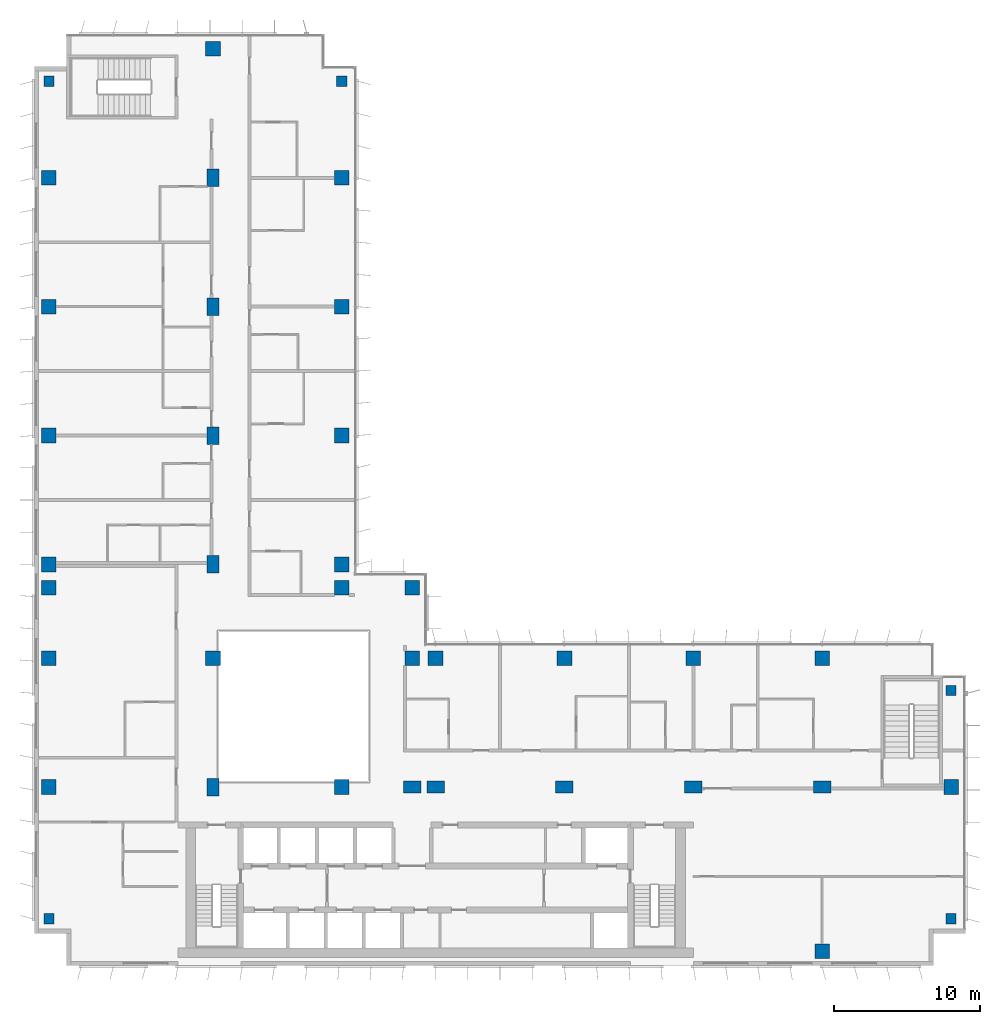
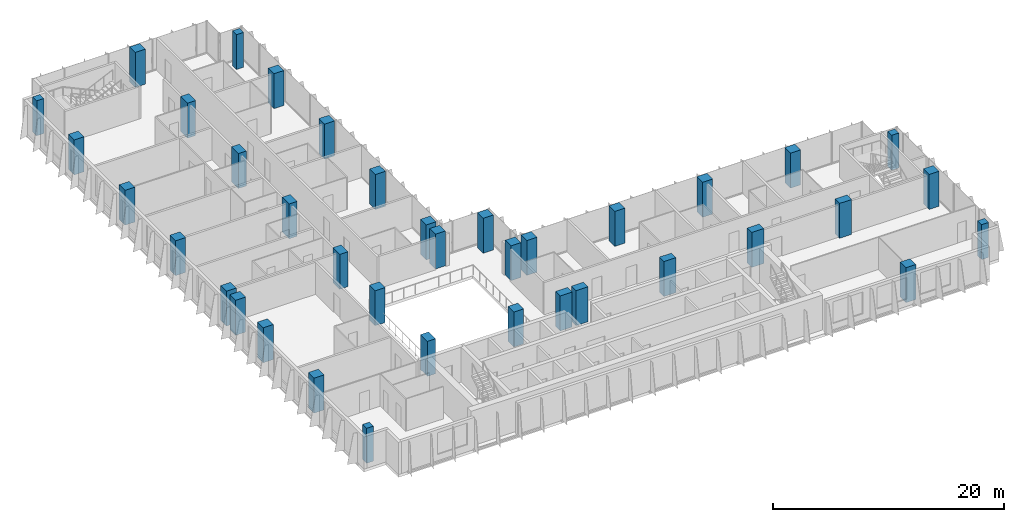
# One storey, part 1 of 21: 38 columns.
"""IFC4 building model written with IfcOpenShell, lengths in metres."""

from ifc_helpers import new_model, si_unit, direction, frame, origin, origin_2d, place, context, subcontext, project, spatial, rectangle, extrude, material, material_profile, profile_set, type_object, element, save


model = new_model("IFC4")

# Units and contexts
model_context = context("Model", 3, precision=1e-05, world=origin(), true_north=direction((0.0, 1.0)))
body_context = subcontext(model_context, "Body", "Model", "MODEL_VIEW")
ifc_project = project(units=[si_unit("LENGTHUNIT", "METRE"), si_unit("AREAUNIT", "SQUARE_METRE"), si_unit("VOLUMEUNIT", "CUBIC_METRE"), si_unit("PLANEANGLEUNIT", "RADIAN"), si_unit("MASSUNIT", "GRAM", prefix="KILO")], contexts=[model_context])

# Site, building, storey
site_placement = place(None, origin())
site = spatial("IfcSite", under=ifc_project, at=site_placement, CompositionType="ELEMENT")
building_placement = place(site_placement, origin())
building = spatial("IfcBuilding", under=site, at=building_placement, Name="Kemantara Hotel Tower", CompositionType="ELEMENT")
storey_placement = place(building_placement, frame((0.0, 0.0, 179.0)))
storey = spatial("IfcBuildingStorey", under=building, at=storey_placement, Name="L44", CompositionType="ELEMENT", Elevation=179.0)

# Columns
ifc_material = material(Name="Concrete fc 60 MPa", Category="concrete")
ifc_material_profile_1 = material_profile(ifc_material, rectangle(XDim=1.0, YDim=1.0, at=origin_2d()), Name="RC 1000X1000")
ifc_profile_set_1 = profile_set([ifc_material_profile_1], Name="Concrete fc 60 MPa")
column_type_1 = type_object("IfcColumnType", Name="RC COLUMN 1000X1000 FC60", PredefinedType="COLUMN", material=ifc_profile_set_1)
for number, where, z_axis, x_axis, name in (
    (1, (1.0, 12.199951171875, 0.0), (0.0, 0.0, 1.0), (1.0, 0.0, 0.0), "COLUMN 1/BA L44"),
    (2, (1.0, 21.0, 0.0), (0.0, 0.0, 1.0), (1.0, 0.0, 0.0), "COLUMN 1/C L44"),
    (3, (1.0, 25.800048828125, 0.0), (0.0, 0.0, 1.0), (1.0, 0.0, 0.0), "COLUMN 1/CA L44"),
    (4, (1.0, 27.39990234375, 0.0), (0.0, 0.0, 1.0), (1.0, 0.0, 0.0), "COLUMN 1/D L44"),
    (5, (1.0, 36.199951171875, 0.0), (0.0, 0.0, 1.0), (1.0, 0.0, 0.0), "COLUMN 1/E L44"),
    (6, (1.0, 45.0, 0.0), (0.0, 0.0, 1.0), (1.0, 0.0, 0.0), "COLUMN 1/F L44"),
    (7, (1.0, 53.800048828125, 0.0), (0.0, 0.0, 1.0), (1.0, 0.0, 0.0), "COLUMN 1/G L44"),
    (8, (12.199951171875, 21.0, 0.0), (0.0, 0.0, 1.0), (1.0, 0.0, 0.0), "COLUMN 2A/C L44"),
    (9, (12.199951171875, 62.60009765625, 0.0), (0.0, 0.0, 1.0), (1.0, 0.0, 0.0), "COLUMN 2A/H L44"),
    (10, (21.0, 12.199951171875, 0.0), (0.0, 0.0, 1.0), (1.0, 0.0, 0.0), "COLUMN 3/BA L44"),
    (11, (21.0, 25.800048828125, 0.0), (0.0, 0.0, 1.0), (1.0, 0.0, 0.0), "COLUMN 3/CA L44"),
    (12, (21.0, 27.39990234375, 0.0), (0.0, 0.0, 1.0), (1.0, 0.0, 0.0), "COLUMN 3/D L44"),
    (13, (21.0, 36.199951171875, 0.0), (0.0, 0.0, 1.0), (1.0, 0.0, 0.0), "COLUMN 3/E L44"),
    (14, (21.0, 45.0, 0.0), (0.0, 0.0, 1.0), (1.0, 0.0, 0.0), "COLUMN 3/F L44"),
    (15, (21.0, 53.800048828125, 0.0), (0.0, 0.0, 1.0), (1.0, 0.0, 0.0), "COLUMN 3/G L44"),
    (16, (25.800048828125, 21.0, 0.0), (0.0, 0.0, 1.0), (1.0, 0.0, 0.0), "COLUMN 3A/C L44"),
    (17, (25.800048828125, 25.800048828125, 0.0), (0.0, 0.0, 1.0), (1.0, 0.0, 0.0), "COLUMN 3A/CA L44"),
    (18, (27.39990234375, 21.0, 0.0), (0.0, 0.0, 1.0), (1.0, 0.0, 0.0), "COLUMN 4/C L44"),
    (19, (36.199951171875, 21.0, 0.0), (0.0, 0.0, 1.0), (1.0, 0.0, 0.0), "COLUMN 5/C L44"),
    (20, (45.0, 21.0, 0.0), (0.0, 0.0, 1.0), (1.0, 0.0, 0.0), "COLUMN 6/C L44"),
    (21, (53.800048828125, 1.0, 0.0), (0.0, 0.0, 1.0), (1.0, 0.0, 0.0), "COLUMN 7/A L44"),
    (22, (53.800048828125, 21.0, 0.0), (0.0, 0.0, 1.0), (1.0, 0.0, 0.0), "COLUMN 7/C L44"),
    (23, (62.60009765625, 12.199951171875, 0.0), (0.0, 0.0, 1.0), (1.0, 0.0, 0.0), "COLUMN 8/BA L44"),
):
    element("IfcColumn", number, at=place(storey_placement, frame(where, z_axis=z_axis, x_axis=x_axis)), inside=storey, type_object=column_type_1, Name=name, PredefinedType="COLUMN", context=body_context, shape_type="SweptSolid", body=[
        extrude(rectangle(XDim=1.0, YDim=1.0, at=origin_2d()), origin(), (0.0, 0.0, 1.0), 3.699951171875),
    ])
ifc_material_profile_2 = material_profile(ifc_material, rectangle(XDim=1.199951171875, YDim=0.800048828125, at=origin_2d()), Name="RC 1200X800")
ifc_profile_set_2 = profile_set([ifc_material_profile_2], Name="Concrete fc 60 MPa")
column_type_2 = type_object("IfcColumnType", Name="RC COLUMN 1200X800 FC60", PredefinedType="COLUMN", material=ifc_profile_set_2)
for number, where, z_axis, x_axis, name in (
    (24, (12.199951171875, 12.199951171875, 0.0), (0.0, 0.0, 1.0), (0.0, 1.0, 0.0), "COLUMN 2A/BA L44"),
    (25, (12.199951171875, 27.39990234375, 0.0), (0.0, 0.0, 1.0), (0.0, 1.0, 0.0), "COLUMN 2A/D L44"),
    (26, (12.199951171875, 36.199951171875, 0.0), (0.0, 0.0, 1.0), (0.0, 1.0, 0.0), "COLUMN 2A/E L44"),
    (27, (12.199951171875, 45.0, 0.0), (0.0, 0.0, 1.0), (0.0, 1.0, 0.0), "COLUMN 2A/F L44"),
    (28, (12.199951171875, 53.800048828125, 0.0), (0.0, 0.0, 1.0), (0.0, 1.0, 0.0), "COLUMN 2A/G L44"),
    (29, (25.800048828125, 12.199951171875, 0.0), (0.0, 0.0, 1.0), (1.0, 0.0, 0.0), "COLUMN 3A/BA L44"),
    (30, (27.39990234375, 12.199951171875, 0.0), (0.0, 0.0, 1.0), (1.0, 0.0, 0.0), "COLUMN 4/BA L44"),
    (31, (36.199951171875, 12.199951171875, 0.0), (0.0, 0.0, 1.0), (1.0, 0.0, 0.0), "COLUMN 5/BA L44"),
    (32, (45.0, 12.199951171875, 0.0), (0.0, 0.0, 1.0), (1.0, 0.0, 0.0), "COLUMN 6/BA L44"),
    (33, (53.800048828125, 12.199951171875, 0.0), (0.0, 0.0, 1.0), (1.0, 0.0, 0.0), "COLUMN 7/BA L44"),
):
    element("IfcColumn", number, at=place(storey_placement, frame(where, z_axis=z_axis, x_axis=x_axis)), inside=storey, type_object=column_type_2, Name=name, PredefinedType="COLUMN", context=body_context, shape_type="SweptSolid", body=[
        extrude(rectangle(XDim=1.199951171875, YDim=0.800048828125, at=origin_2d()), origin(), (0.0, 0.0, 1.0), 3.699951171875),
    ])
ifc_material_profile_3 = material_profile(ifc_material, rectangle(XDim=0.699951171875, YDim=0.699951171875, at=origin_2d()), Name="RC 700X700")
ifc_profile_set_3 = profile_set([ifc_material_profile_3], Name="Concrete fc 60 MPa")
column_type_3 = type_object("IfcColumnType", Name="RC COLUMN 700X700 FC60", PredefinedType="COLUMN", material=ifc_profile_set_3)
for number, where, z_axis, x_axis, name in (
    (34, (1.0, 3.199951171875, 0.0), (0.0, 0.0, 1.0), (1.0, 0.0, 0.0), "COLUMN notch corner L44"),
    (35, (1.0, 60.39990234375, 0.0), (0.0, 0.0, 1.0), (1.0, 0.0, 0.0), "COLUMN notch corner L44"),
    (36, (21.0, 60.39990234375, 0.0), (0.0, 0.0, 1.0), (1.0, 0.0, 0.0), "COLUMN notch corner L44"),
    (37, (62.60009765625, 3.199951171875, 0.0), (0.0, 0.0, 1.0), (1.0, 0.0, 0.0), "COLUMN notch corner L44"),
    (38, (62.60009765625, 18.800048828125, 0.0), (0.0, 0.0, 1.0), (1.0, 0.0, 0.0), "COLUMN notch corner L44"),
):
    element("IfcColumn", number, at=place(storey_placement, frame(where, z_axis=z_axis, x_axis=x_axis)), inside=storey, type_object=column_type_3, Name=name, PredefinedType="COLUMN", context=body_context, shape_type="SweptSolid", body=[
        extrude(rectangle(XDim=0.699951171875, YDim=0.699951171875, at=origin_2d()), origin(), (0.0, 0.0, 1.0), 3.699951171875),
    ])

save(model, "model.ifc")
